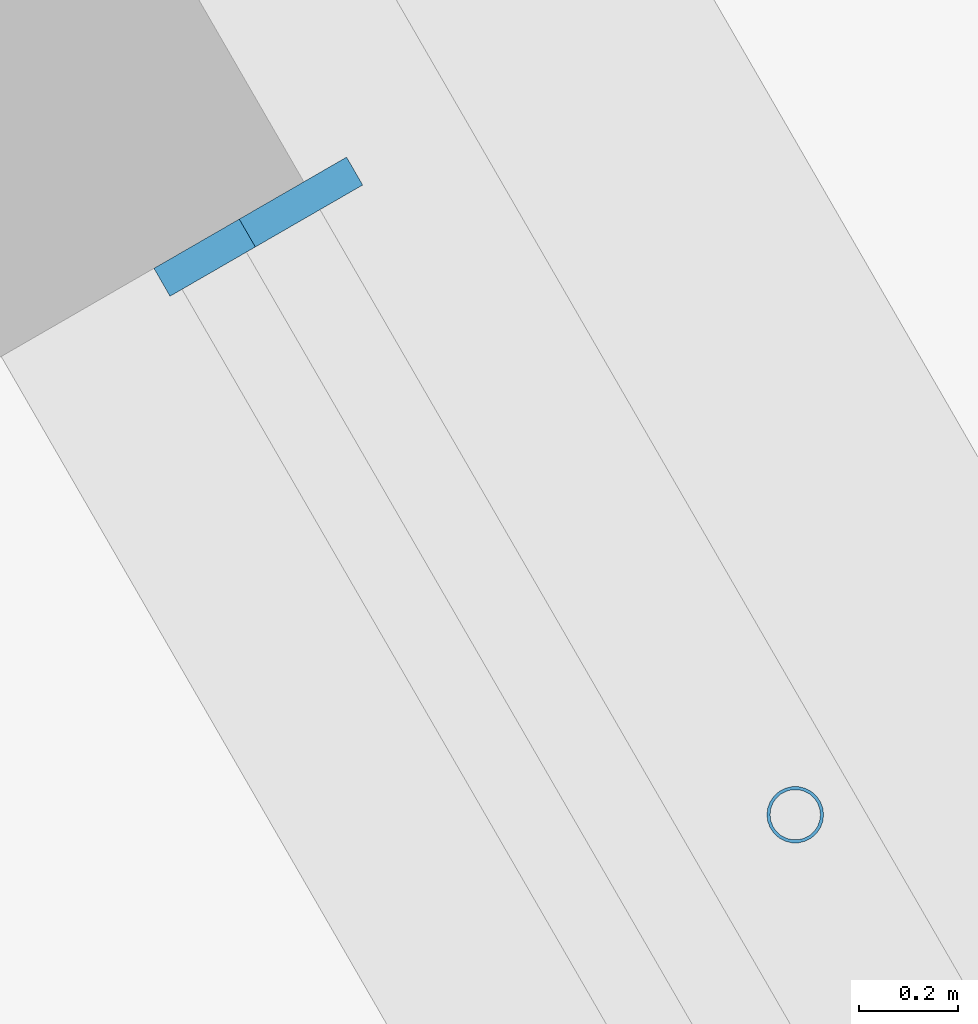
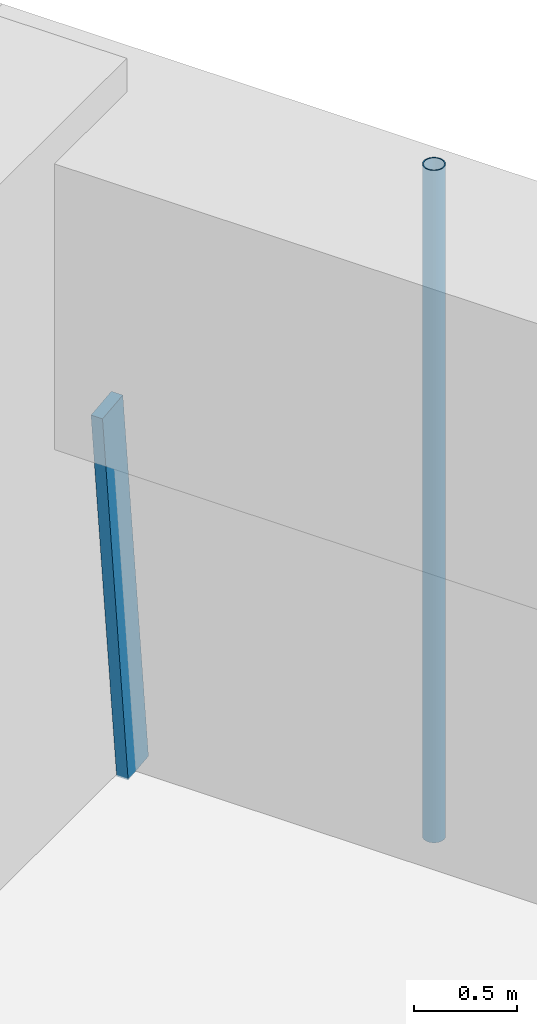
# One storey, part 15 of 24: 2 members, 1 element without a shape of its own.
"""IFC4 building model written with IfcOpenShell, lengths in metres."""

from ifc_helpers import new_model, si_unit, direction, frame, origin, origin_2d, place, context, subcontext, project, spatial, rectangle, hollow_circle, extrude, material, material_profile, profile_set, type_object, element, aggregate, save


model = new_model("IFC4")

# Units and contexts
model_context = context("Model", 3, precision=1e-05, world=origin(), true_north=direction((0.0, 1.0)))
body_context = subcontext(model_context, "Body", "Model", "MODEL_VIEW")
ifc_project = project(units=[si_unit("LENGTHUNIT", "METRE"), si_unit("AREAUNIT", "SQUARE_METRE"), si_unit("VOLUMEUNIT", "CUBIC_METRE"), si_unit("PLANEANGLEUNIT", "RADIAN"), si_unit("MASSUNIT", "GRAM", prefix="KILO")], contexts=[model_context])

# Site, building, storey
site_placement = place(None, origin())
site = spatial("IfcSite", under=ifc_project, at=site_placement, CompositionType="ELEMENT")
building_placement = place(site_placement, origin())
building = spatial("IfcBuilding", under=site, at=building_placement, Name="Tarfa Lantern Tower", CompositionType="ELEMENT")
storey_placement = place(building_placement, frame((0.0, 0.0, 127.89990234375)))
storey = spatial("IfcBuildingStorey", under=building, at=storey_placement, Name="L28", CompositionType="ELEMENT", Elevation=127.89990234375)

# Curtain wall, member
ifc_material_1 = material(Name="Aluminium framed curtain wall", Category="aluminium")
curtain_wall_type = type_object("IfcCurtainWallType", Name="CW2 CANTED GLAZING MID ZONE 2300", PredefinedType="USERDEFINED", material=ifc_material_1)
curtain_wall_placement = place(storey_placement, origin())
curtain_wall = element("IfcCurtainWall", 1, at=curtain_wall_placement, inside=storey, type_object=curtain_wall_type, Name="CW2 NE L28", ObjectType="CURTAIN WALL", PredefinedType="USERDEFINED")
ifc_material_2 = material(Name="Aluminium mullion", Category="aluminium")
ifc_material_profile_1 = material_profile(ifc_material_2, rectangle(XDim=0.06494140625, YDim=0.199951171875, at=origin_2d()), Name="AL MULLION 65x200")
ifc_profile_set_1 = profile_set([ifc_material_profile_1], Name="Aluminium mullion")
member_type_1 = type_object("IfcMemberType", Name="CWM1 MULLION 65x200", PredefinedType="MULLION", material=ifc_profile_set_1)
member_1_placement = place(storey_placement, frame((30.161376953125, 10.55908203125, 0.0), z_axis=(-0.093599904765, -0.0540283554, 0.994142844183), x_axis=(0.499919672301, -0.866071776036, 0.0)))
member_1 = element("IfcMember", 2, at=member_1_placement, type_object=member_type_1, Name="CW2 mullion 2", PredefinedType="MULLION", context=body_context, shape_type="SweptSolid", body=[
    extrude(rectangle(XDim=0.06494140625, YDim=0.199951171875, at=origin_2d()), origin(), (0.0, 0.0, 1.0), 2.313720703125),
])
aggregate(curtain_wall, [member_1])

# Member
ifc_material_3 = material(Name="Steel S355", Category="steel")
ifc_material_profile_2 = material_profile(ifc_material_3, hollow_circle(Radius=0.05712890625, WallThickness=0.00634765625, at=origin_2d()), Name="CHS114.3x6.3")
ifc_profile_set_2 = profile_set([ifc_material_profile_2], Name="Steel S355")
member_type_2 = type_object("IfcMemberType", Name="TR1 GREEN WALL TRELLIS CHS114.3x6.3", PredefinedType="USERDEFINED", material=ifc_profile_set_2)
member_2_placement = place(storey_placement, frame((31.136474609375, 9.31005859375, 0.0), z_axis=(0.0, 0.0, 1.0), x_axis=(1.0, 0.0, 0.0)))
element("IfcMember", 3, at=member_2_placement, inside=storey, type_object=member_type_2, Name="Trellis post NE 1", ObjectType="TRELLIS", PredefinedType="USERDEFINED", context=body_context, shape_type="SweptSolid", body=[
    extrude(hollow_circle(Radius=0.05712890625, WallThickness=0.00634765625, at=origin_2d()), origin(), (0.0, 0.0, 1.0), 4.0),
])

save(model, "model.ifc")
